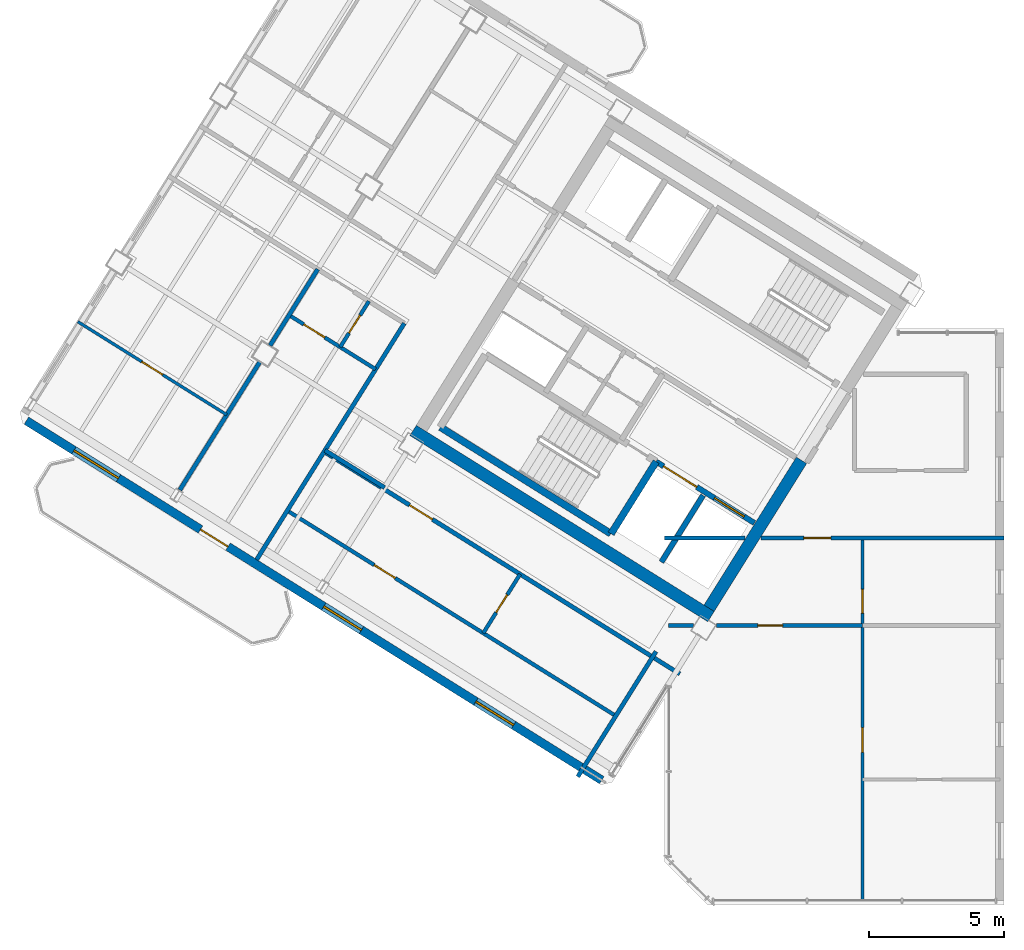
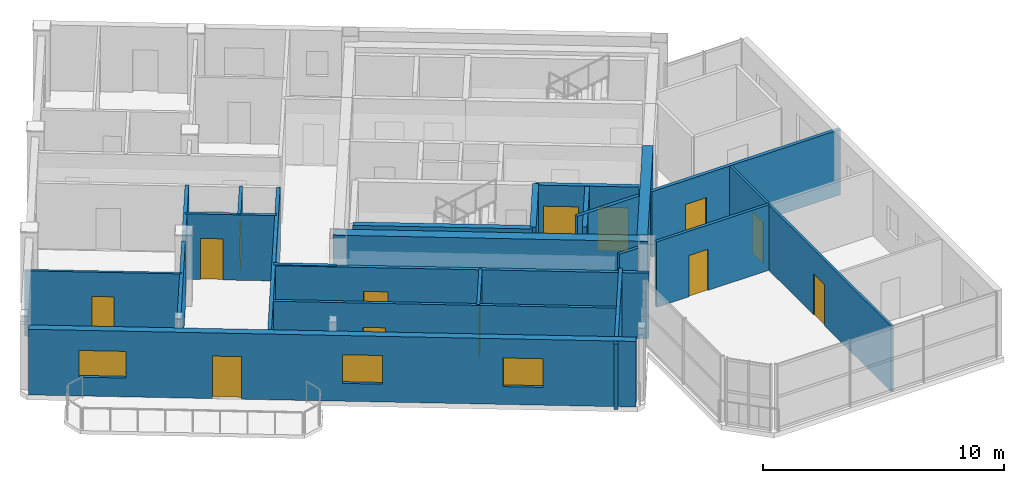
# One storey, part 7 of 13: 23 walls, 13 doors, 3 windows, 16 openings.
"""IFC4 building model written with IfcOpenShell, lengths in metres."""

from ifc_helpers import new_model, si_unit, direction, frame, frame_2d, origin, place, context, subcontext, project, spatial, rectangle, extrude, source, transform, mapped, material, layer, layer_set, type_object, element, fill, save


model = new_model("IFC4")

# Units and contexts
model_context = context("Model", 3, precision=1e-05, world=origin(), true_north=direction((0.0, 1.0)))
body_context = subcontext(model_context, "Body", "Model", "MODEL_VIEW")
ifc_project = project(units=[si_unit("LENGTHUNIT", "METRE"), si_unit("AREAUNIT", "SQUARE_METRE"), si_unit("VOLUMEUNIT", "CUBIC_METRE"), si_unit("PLANEANGLEUNIT", "RADIAN"), si_unit("MASSUNIT", "GRAM", prefix="KILO")], contexts=[model_context])

# Site, building, storey
site_placement = place(None, origin())
site = spatial("IfcSite", under=ifc_project, at=site_placement, CompositionType="ELEMENT")
building_placement = place(site_placement, origin())
building = spatial("IfcBuilding", under=site, at=building_placement, Name="Tlacorven Tower", CompositionType="ELEMENT")
storey_placement = place(building_placement, frame((0.0, 0.0, 295.199951171875)))
storey = spatial("IfcBuildingStorey", under=building, at=storey_placement, Name="L75", CompositionType="ELEMENT", Elevation=295.199951171875)

# Walls
ifc_material_1 = material(Name="Concrete C50/60", Category="concrete")
ifc_layer_1 = layer(ifc_material_1, 0.449951171875)
ifc_layer_set_1 = layer_set([ifc_layer_1], Name="Concrete C50/60")
wall_type_1 = type_object("IfcWallType", Name="WL-COR-450", PredefinedType="SHEAR", material=ifc_layer_set_1)
wall_1_placement = place(storey_placement, frame((33.32373046875, 12.5029296875, 0.0), z_axis=(0.0, 0.0, 1.0), x_axis=(-0.848043529849, 0.529926571782, 0.0)))
element("IfcWall", 1, at=wall_1_placement, inside=storey, type_object=wall_type_1, Name="L75 W core shear wall S2", PredefinedType="SHEAR", context=body_context, shape_type="SweptSolid", body=[
    extrude(rectangle(XDim=13.039794921875, YDim=0.449951171875, at=frame_2d((6.52001953125, 0.0))), origin(), (0.0, 0.0, 1.0), 3.320068359375),
])
wall_2_placement = place(storey_placement, frame((36.683349609375, 18.30419921875, 0.0), z_axis=(0.0, 0.0, 1.0), x_axis=(-0.529904039071, -0.848057609704, 0.0)))
element("IfcWall", 2, at=wall_2_placement, inside=storey, type_object=wall_type_1, Name="L75 W core end wall E1.2", PredefinedType="SHEAR", context=body_context, shape_type="SweptSolid", body=[
    extrude(rectangle(XDim=6.47509765625, YDim=0.449951171875, at=frame_2d((3.237548828125, 0.0))), origin(), (0.0, 0.0, 1.0), 3.320068359375),
])
ifc_material_2 = material(Name="Gypsum plasterboard acoustic partition", Category="gypsum")
ifc_layer_2 = layer(ifc_material_2, 0.159912109375)
ifc_layer_set_2 = layer_set([ifc_layer_2], Name="Gypsum plasterboard acoustic partition")
wall_type_2 = type_object("IfcWallType", Name="WL-DEM-160", PredefinedType="PARTITIONING", material=ifc_layer_set_2)
wall_3_placement = place(storey_placement, frame((21.20556640625, 17.29248046875, 0.0), z_axis=(0.0, 0.0, 1.0), x_axis=(-0.848050851465, 0.529914854792, 0.0)))
element("IfcWall", 3, at=wall_3_placement, inside=storey, type_object=wall_type_2, Name="L75 partition 23", PredefinedType="PARTITIONING", context=body_context, shape_type="SweptSolid", body=[
    extrude(rectangle(XDim=2.60986328125, YDim=0.159912109375, at=frame_2d((1.304931640625, 0.0))), origin(), (0.0, 0.0, 1.0), 3.31005859375),
])
wall_4_placement = place(storey_placement, frame((21.9384765625, 23.390625, 0.0), z_axis=(0.0, 0.0, 1.0), x_axis=(-0.529924725692, -0.848044683434, 0.0)))
element("IfcWall", 4, at=wall_4_placement, inside=storey, type_object=wall_type_2, Name="L75 partition 25", PredefinedType="PARTITIONING", context=body_context, shape_type="SweptSolid", body=[
    extrude(rectangle(XDim=10.349853515625, YDim=0.159912109375, at=frame_2d((5.1748046875, 0.0))), origin(), (0.0, 0.0, 1.0), 3.31005859375),
])
wall_5_placement = place(storey_placement, frame((18.724365234375, 25.399169921875, 0.0), z_axis=(0.0, 0.0, 1.0), x_axis=(-0.529952920244, -0.848027064618, 0.0)))
element("IfcWall", 5, at=wall_5_placement, inside=storey, type_object=wall_type_2, Name="L75 WN Demising Wall 1", PredefinedType="PARTITIONING", context=body_context, shape_type="SweptSolid", body=[
    extrude(rectangle(XDim=3.338134765625, YDim=0.159912109375, at=frame_2d((1.6689453125, 0.0))), origin(), (0.0, 0.0, 1.0), 3.31005859375),
])
wall_6_placement = place(storey_placement, frame((16.57177734375, 21.954345703125, 0.0), z_axis=(0.0, 0.0, 1.0), x_axis=(-0.529904903214, -0.848057069748, 0.0)))
element("IfcWall", 6, at=wall_6_placement, inside=storey, type_object=wall_type_2, Name="L75 WN Demising Wall 1", PredefinedType="PARTITIONING", context=body_context, shape_type="SweptSolid", body=[
    extrude(rectangle(XDim=5.60107421875, YDim=0.159912109375, at=frame_2d((2.800537109375, 0.0))), origin(), (0.0, 0.0, 1.0), 3.31005859375),
])

# Wall, opening, door
wall_7_placement = place(storey_placement, frame((32.164306640625, 10.373779296875, 0.0), z_axis=(0.0, 0.0, 1.0), x_axis=(-0.848044107957, 0.529925646633, 0.0)))
wall_7 = element("IfcWall", 7, at=wall_7_placement, inside=storey, type_object=wall_type_2, Name="L75 partition 38", PredefinedType="PARTITIONING", context=body_context, shape_type="SweptSolid", body=[
    extrude(rectangle(XDim=15.570068359375, YDim=0.159912109375, at=frame_2d((7.78515625, 0.0))), origin(), (0.0, 0.0, 1.0), 3.31005859375),
])
opening_1_placement = place(wall_7_placement, frame((10.830078125, 0.0, 0.0)))
opening_1 = element("IfcOpeningElement", 8, at=opening_1_placement, cuts=wall_7, Name="Opening D11", PredefinedType="OPENING", context=body_context, shape_type="SweptSolid", body=[
    extrude(rectangle(XDim=1.0, YDim=2.10009765625, at=frame_2d((0.5, 1.050048828125))), frame((0.0, 0.08984375, 0.0), z_axis=(0.0, -1.0, 0.0), x_axis=(1.0, 0.0, 0.0)), (0.0, 0.0, 1.0), 0.179931640625),
])
ifc_material_3 = material(Name="Fire-rated steel door assembly", Category="steel")
door_type_1 = type_object("IfcDoorType", Name="DR-FLT-FD60-1000", OperationType="NOTDEFINED", PredefinedType="DOOR", material=ifc_material_3)
shared_shape_1 = source(origin(), body_context, "Body", "SweptSolid", [
    extrude(rectangle(XDim=1.0, YDim=2.10009765625, at=frame_2d((0.5, 1.050048828125))), frame((0.0, 0.02490234375, 0.0), z_axis=(0.0, -1.0, 0.0), x_axis=(1.0, 0.0, 0.0)), (0.0, 0.0, 1.0), 0.050048828125),
])
door_1_placement = place(opening_1_placement, origin())
door_1 = element("IfcDoor", 9, at=door_1_placement, inside=storey, type_object=door_type_1, Name="L75 door 026", OperationType="SINGLE_SWING_LEFT", OverallHeight=2.10009765625, OverallWidth=1.0, PredefinedType="DOOR", context=body_context, shape_type="MappedRepresentation", body=[
    mapped(shared_shape_1, transform((0.0, 0.0, 0.0), scale=1.0)),
])
fill(opening_1, door_1)

# Walls
wall_8_placement = place(storey_placement, frame((31.282470703125, 11.2080078125, 0.0), z_axis=(0.0, 0.0, 1.0), x_axis=(-0.529938869374, -0.84803584519, 0.0)))
element("IfcWall", 10, at=wall_8_placement, inside=storey, type_object=wall_type_2, Name="L75 WC West Throat Wall", PredefinedType="PARTITIONING", context=body_context, shape_type="SweptSolid", body=[
    extrude(rectangle(XDim=5.47998046875, YDim=0.159912109375, at=frame_2d((2.739990234375, 0.0))), origin(), (0.0, 0.0, 1.0), 3.31005859375),
])
wall_9_placement = place(storey_placement, frame((31.60009765625, 15.419921875, 0.0), z_axis=(0.0, 0.0, 1.0), x_axis=(1.0, 0.0, 0.0)))
element("IfcWall", 11, at=wall_9_placement, inside=storey, type_object=wall_type_2, Name="L75 Knuckle Corridor South Wall", PredefinedType="PARTITIONING", context=body_context, shape_type="SweptSolid", body=[
    extrude(rectangle(XDim=2.984130859375, YDim=0.159912109375, at=frame_2d((1.4921875, 0.0))), origin(), (0.0, 0.0, 1.0), 3.31005859375),
])

# Wall, opening, door
wall_10_placement = place(storey_placement, frame((35.178466796875, 15.419921875, 0.0), z_axis=(0.0, 0.0, 1.0), x_axis=(1.0, 0.0, 0.0)))
wall_10 = element("IfcWall", 12, at=wall_10_placement, inside=storey, type_object=wall_type_2, Name="L75 Knuckle Corridor South Wall", PredefinedType="PARTITIONING", context=body_context, shape_type="SweptSolid", body=[
    extrude(rectangle(XDim=9.021484375, YDim=0.159912109375, at=frame_2d((4.5107421875, 0.0))), origin(), (0.0, 0.0, 1.0), 3.31005859375),
])
opening_2_placement = place(wall_10_placement, frame((1.593505859375, 0.0, 0.0)))
opening_2 = element("IfcOpeningElement", 13, at=opening_2_placement, cuts=wall_10, Name="Opening D11", PredefinedType="OPENING", context=body_context, shape_type="SweptSolid", body=[
    extrude(rectangle(XDim=1.0, YDim=2.10009765625, at=frame_2d((0.5, 1.050048828125))), frame((0.0, 0.08984375, 0.0), z_axis=(0.0, -1.0, 0.0), x_axis=(1.0, 0.0, 0.0)), (0.0, 0.0, 1.0), 0.179931640625),
])
door_2_placement = place(opening_2_placement, frame((1.0, 0.0, 0.0), z_axis=(0.0, 0.0, 1.0), x_axis=(-1.0, 0.0, 0.0)))
door_2 = element("IfcDoor", 14, at=door_2_placement, inside=storey, type_object=door_type_1, Name="L75 door 033", OperationType="SINGLE_SWING_LEFT", OverallHeight=2.10009765625, OverallWidth=1.0, PredefinedType="DOOR", context=body_context, shape_type="MappedRepresentation", body=[
    mapped(shared_shape_1, transform((0.0, 0.0, 0.0), scale=1.0)),
])
fill(opening_2, door_2)

# Wall, openings, door, windows
ifc_material_4 = material(Name="Precast concrete C45/55", Category="concrete")
ifc_layer_3 = layer(ifc_material_4, 0.320068359375)
ifc_layer_set_3 = layer_set([ifc_layer_3], Name="Precast concrete C45/55")
wall_type_3 = type_object("IfcWallType", Name="WL-EXT-320", PredefinedType="STANDARD", material=ifc_layer_set_3)
wall_11_placement = place(storey_placement, frame((29.267822265625, 6.429443359375, 0.0), z_axis=(0.0, 0.0, 1.0), x_axis=(-0.848048398186, 0.529918780885, 0.0)))
wall_11 = element("IfcWall", 15, at=wall_11_placement, inside=storey, type_object=wall_type_3, Name="L75 Masonry-Frame Recessed Facade Wall 2", PredefinedType="STANDARD", context=body_context, shape_type="SweptSolid", body=[
    extrude(rectangle(XDim=25.187744140625, YDim=0.320068359375, at=frame_2d((12.59375, 0.0))), origin(), (0.0, 0.0, 1.0), 3.320068359375),
])
opening_3_placement = place(wall_11_placement, frame((16.36181640625, 0.0, 0.0)))
opening_3 = element("IfcOpeningElement", 16, at=opening_3_placement, cuts=wall_11, Name="Opening D05", PredefinedType="OPENING", context=body_context, shape_type="SweptSolid", body=[
    extrude(rectangle(XDim=1.199951171875, YDim=2.14990234375, at=frame_2d((0.60009765625, 1.074951171875))), frame((0.0, 0.169921875, 0.0), z_axis=(0.0, -1.0, 0.0), x_axis=(1.0, 0.0, 0.0)), (0.0, 0.0, 1.0), 0.340087890625),
])
opening_4_placement = place(wall_11_placement, frame((3.858642578125, 0.0, 0.89990234375)))
opening_4 = element("IfcOpeningElement", 17, at=opening_4_placement, cuts=wall_11, Name="Opening WN07", PredefinedType="OPENING", context=body_context, shape_type="SweptSolid", body=[
    extrude(rectangle(XDim=1.64990234375, YDim=1.449951171875, at=frame_2d((0.824951171875, 0.72509765625))), frame((0.0, 0.169921875, 0.0), z_axis=(0.0, -1.0, 0.0), x_axis=(1.0, 0.0, 0.0)), (0.0, 0.0, 1.0), 0.340087890625),
])
opening_5_placement = place(wall_11_placement, frame((10.518798828125, 0.0, 0.89990234375)))
opening_5 = element("IfcOpeningElement", 18, at=opening_5_placement, cuts=wall_11, Name="Opening WN07", PredefinedType="OPENING", context=body_context, shape_type="SweptSolid", body=[
    extrude(rectangle(XDim=1.64990234375, YDim=1.449951171875, at=frame_2d((0.824951171875, 0.72509765625))), frame((0.0, 0.169921875, 0.0), z_axis=(0.0, -1.0, 0.0), x_axis=(1.0, 0.0, 0.0)), (0.0, 0.0, 1.0), 0.340087890625),
])
opening_6_placement = place(wall_11_placement, frame((21.155517578125, 0.0, 0.949951171875)))
opening_6 = element("IfcOpeningElement", 19, at=opening_6_placement, cuts=wall_11, Name="Opening WN09", PredefinedType="OPENING", context=body_context, shape_type="SweptSolid", body=[
    extrude(rectangle(XDim=1.949951171875, YDim=1.35009765625, at=frame_2d((0.97509765625, 0.675048828125))), frame((0.0, 0.169921875, 0.0), z_axis=(0.0, -1.0, 0.0), x_axis=(1.0, 0.0, 0.0)), (0.0, 0.0, 1.0), 0.340087890625),
])
ifc_material_5 = material(Name="Powder-coated aluminium and timber door", Category="wood")
door_type_2 = type_object("IfcDoorType", Name="DR-EXT-BALC-1200", OperationType="NOTDEFINED", PredefinedType="DOOR", material=ifc_material_5)
shared_shape_2 = source(origin(), body_context, "Body", "SweptSolid", [
    extrude(rectangle(XDim=1.199951171875, YDim=2.14990234375, at=frame_2d((0.60009765625, 1.074951171875))), frame((0.0, 0.02490234375, 0.0), z_axis=(0.0, -1.0, 0.0), x_axis=(1.0, 0.0, 0.0)), (0.0, 0.0, 1.0), 0.050048828125),
])
door_3_placement = place(opening_3_placement, origin())
door_3 = element("IfcDoor", 20, at=door_3_placement, inside=storey, type_object=door_type_2, Name="L75 Outdoor Access Door BAL-L75-W-OUT", OperationType="SINGLE_SWING_LEFT", OverallHeight=2.14990234375, OverallWidth=1.199951171875, PredefinedType="DOOR", context=body_context, shape_type="MappedRepresentation", body=[
    mapped(shared_shape_2, transform((0.0, 0.0, 0.0), scale=1.0)),
])
fill(opening_3, door_3)
ifc_material_6 = material(Name="Dark solar low-E double glazing in anodised aluminium frame", Category="aluminium")
window_type_1 = type_object("IfcWindowType", Name="WN-APT-1650X1600", PartitioningType="SINGLE_PANEL", PredefinedType="WINDOW", material=ifc_material_6)
shared_shape_3 = source(origin(), body_context, "Body", "SweptSolid", [
    extrude(rectangle(XDim=1.64990234375, YDim=1.449951171875, at=frame_2d((0.824951171875, 0.72509765625))), frame((0.0, 0.030029296875, 0.0), z_axis=(0.0, -1.0, 0.0), x_axis=(1.0, 0.0, 0.0)), (0.0, 0.0, 1.0), 0.06005859375),
])
window_1_placement = place(opening_4_placement, origin())
window_1 = element("IfcWindow", 21, at=window_1_placement, inside=storey, type_object=window_type_1, Name="L75 Recessed Masonry-Frame Window L75-02.1", OverallHeight=1.449951171875, OverallWidth=1.64990234375, PartitioningType="SINGLE_PANEL", PredefinedType="WINDOW", context=body_context, shape_type="MappedRepresentation", body=[
    mapped(shared_shape_3, transform((0.0, 0.0, 0.0), scale=1.0)),
])
fill(opening_4, window_1)
window_2_placement = place(opening_5_placement, origin())
window_2 = element("IfcWindow", 22, at=window_2_placement, inside=storey, type_object=window_type_1, Name="L75 Recessed Masonry-Frame Window L75-02.2", OverallHeight=1.449951171875, OverallWidth=1.64990234375, PartitioningType="SINGLE_PANEL", PredefinedType="WINDOW", context=body_context, shape_type="MappedRepresentation", body=[
    mapped(shared_shape_3, transform((0.0, 0.0, 0.0), scale=1.0)),
])
fill(opening_5, window_2)
window_type_2 = type_object("IfcWindowType", Name="WN-GAL-1950X1450", PartitioningType="SINGLE_PANEL", PredefinedType="WINDOW", material=ifc_material_6)
shared_shape_4 = source(origin(), body_context, "Body", "SweptSolid", [
    extrude(rectangle(XDim=1.949951171875, YDim=1.35009765625, at=frame_2d((0.97509765625, 0.675048828125))), frame((0.0, 0.030029296875, 0.0), z_axis=(0.0, -1.0, 0.0), x_axis=(1.0, 0.0, 0.0)), (0.0, 0.0, 1.0), 0.06005859375),
])
window_3_placement = place(opening_6_placement, origin())
window_3 = element("IfcWindow", 23, at=window_3_placement, inside=storey, type_object=window_type_2, Name="L75 Recessed Masonry-Frame Window L75-02.3", OverallHeight=1.35009765625, OverallWidth=1.949951171875, PartitioningType="SINGLE_PANEL", PredefinedType="WINDOW", context=body_context, shape_type="MappedRepresentation", body=[
    mapped(shared_shape_4, transform((0.0, 0.0, 0.0), scale=1.0)),
])
fill(opening_6, window_3)

# Wall, opening, door
ifc_material_7 = material(Name="Gypsum plasterboard partition", Category="gypsum")
ifc_layer_4 = layer(ifc_material_7, 0.110107421875)
ifc_layer_set_4 = layer_set([ifc_layer_4], Name="Gypsum plasterboard partition")
wall_type_4 = type_object("IfcWallType", Name="WL-INT-110", PredefinedType="PARTITIONING", material=ifc_layer_set_4)
wall_12_placement = place(storey_placement, frame((15.34765625, 19.995361328125, 0.0), z_axis=(0.0, 0.0, 1.0), x_axis=(-0.848048787466, 0.529918157905, 0.0)))
wall_12 = element("IfcWall", 24, at=wall_12_placement, inside=storey, type_object=wall_type_4, Name="L75 partition 32", PredefinedType="PARTITIONING", context=body_context, shape_type="SweptSolid", body=[
    extrude(rectangle(XDim=6.52001953125, YDim=0.110107421875, at=frame_2d((3.260009765625, 0.0))), origin(), (0.0, 0.0, 1.0), 3.31005859375),
])
opening_7_placement = place(wall_12_placement, frame((2.800048828125, 0.0, 0.0)))
opening_7 = element("IfcOpeningElement", 25, at=opening_7_placement, cuts=wall_12, Name="Opening D12", PredefinedType="OPENING", context=body_context, shape_type="SweptSolid", body=[
    extrude(rectangle(XDim=0.919921875, YDim=2.080078125, at=frame_2d((0.4599609375, 1.0400390625))), frame((0.0, 0.06494140625, 0.0), z_axis=(0.0, -1.0, 0.0), x_axis=(1.0, 0.0, 0.0)), (0.0, 0.0, 1.0), 0.130126953125),
])
door_type_3 = type_object("IfcDoorType", Name="DR-INT-ROOM-0920", OperationType="NOTDEFINED", PredefinedType="DOOR", material=ifc_material_5)
shared_shape_5 = source(origin(), body_context, "Body", "SweptSolid", [
    extrude(rectangle(XDim=0.919921875, YDim=2.080078125, at=frame_2d((0.4599609375, 1.0400390625))), frame((0.0, 0.02490234375, 0.0), z_axis=(0.0, -1.0, 0.0), x_axis=(1.0, 0.0, 0.0)), (0.0, 0.0, 1.0), 0.050048828125),
])
door_4_placement = place(opening_7_placement, origin())
door_4 = element("IfcDoor", 26, at=door_4_placement, inside=storey, type_object=door_type_3, Name="L75 door 019", OperationType="SINGLE_SWING_RIGHT", OverallHeight=2.080078125, OverallWidth=0.919921875, PredefinedType="DOOR", context=body_context, shape_type="MappedRepresentation", body=[
    mapped(shared_shape_5, transform((0.0, 0.0, 0.0), scale=1.0)),
])
fill(opening_7, door_4)

# Wall, openings, doors
wall_13_placement = place(storey_placement, frame((38.944091796875, 1.9599609375, 0.0), z_axis=(0.0, 0.0, 1.0), x_axis=(0.0, 1.0, 0.0)))
wall_13 = element("IfcWall", 27, at=wall_13_placement, inside=storey, type_object=wall_type_4, Name="L75 partition 48", PredefinedType="PARTITIONING", context=body_context, shape_type="SweptSolid", body=[
    extrude(rectangle(XDim=13.4599609375, YDim=0.110107421875, at=frame_2d((6.72998046875, 0.0))), origin(), (0.0, 0.0, 1.0), 3.31005859375),
])
opening_8_placement = place(wall_13_placement, frame((5.5, 0.0, 0.0)))
opening_8 = element("IfcOpeningElement", 28, at=opening_8_placement, cuts=wall_13, Name="Opening D12", PredefinedType="OPENING", context=body_context, shape_type="SweptSolid", body=[
    extrude(rectangle(XDim=0.919921875, YDim=2.080078125, at=frame_2d((0.4599609375, 1.0400390625))), frame((0.0, 0.06494140625, 0.0), z_axis=(0.0, -1.0, 0.0), x_axis=(1.0, 0.0, 0.0)), (0.0, 0.0, 1.0), 0.130126953125),
])
opening_9_placement = place(wall_13_placement, frame((10.669921875, 0.0, 0.0)))
opening_9 = element("IfcOpeningElement", 29, at=opening_9_placement, cuts=wall_13, Name="Opening D13", PredefinedType="OPENING", context=body_context, shape_type="SweptSolid", body=[
    extrude(rectangle(XDim=0.8798828125, YDim=2.080078125, at=frame_2d((0.43994140625, 1.0400390625))), frame((0.0, 0.06494140625, 0.0), z_axis=(0.0, -1.0, 0.0), x_axis=(1.0, 0.0, 0.0)), (0.0, 0.0, 1.0), 0.130126953125),
])
door_type_4 = type_object("IfcDoorType", Name="DR-INT-WET-0880", OperationType="NOTDEFINED", PredefinedType="DOOR", material=ifc_material_5)
shared_shape_6 = source(origin(), body_context, "Body", "SweptSolid", [
    extrude(rectangle(XDim=0.8798828125, YDim=2.080078125, at=frame_2d((0.43994140625, 1.0400390625))), frame((0.0, 0.02490234375, 0.0), z_axis=(0.0, -1.0, 0.0), x_axis=(1.0, 0.0, 0.0)), (0.0, 0.0, 1.0), 0.050048828125),
])
door_5_placement = place(opening_9_placement, origin())
door_5 = element("IfcDoor", 30, at=door_5_placement, inside=storey, type_object=door_type_4, Name="L75 door 035", OperationType="SINGLE_SWING_LEFT", OverallHeight=2.080078125, OverallWidth=0.8798828125, PredefinedType="DOOR", context=body_context, shape_type="MappedRepresentation", body=[
    mapped(shared_shape_6, transform((0.0, 0.0, 0.0), scale=1.0)),
])
fill(opening_9, door_5)
door_6_placement = place(opening_8_placement, origin())
door_6 = element("IfcDoor", 31, at=door_6_placement, inside=storey, type_object=door_type_3, Name="L75 door 031", OperationType="SINGLE_SWING_LEFT", OverallHeight=2.080078125, OverallWidth=0.919921875, PredefinedType="DOOR", context=body_context, shape_type="MappedRepresentation", body=[
    mapped(shared_shape_5, transform((0.0, 0.0, 0.0), scale=1.0)),
])
fill(opening_8, door_6)

# Wall, opening, door
ifc_material_8 = material(Name="Moisture-resistant gypsum plumbing wall", Category="gypsum")
ifc_layer_5 = layer(ifc_material_8, 0.139892578125)
ifc_layer_set_5 = layer_set([ifc_layer_5], Name="Moisture-resistant gypsum plumbing wall")
wall_type_5 = type_object("IfcWallType", Name="WL-PLM-140", PredefinedType="PLUMBINGWALL", material=ifc_layer_set_5)
wall_14_placement = place(storey_placement, frame((20.873291015625, 21.68603515625, 0.0), z_axis=(0.0, 0.0, 1.0), x_axis=(-0.84803087207, 0.529946827537, 0.0)))
wall_14 = element("IfcWall", 32, at=wall_14_placement, inside=storey, type_object=wall_type_5, Name="L75 partition 30", PredefinedType="PLUMBINGWALL", context=body_context, shape_type="SweptSolid", body=[
    extrude(rectangle(XDim=3.7900390625, YDim=0.139892578125, at=frame_2d((1.89501953125, 0.0))), origin(), (0.0, 0.0, 1.0), 3.31005859375),
])
opening_10_placement = place(wall_14_placement, frame((2.22998046875, 0.0, 0.0)))
opening_10 = element("IfcOpeningElement", 33, at=opening_10_placement, cuts=wall_14, Name="Opening D12", PredefinedType="OPENING", context=body_context, shape_type="SweptSolid", body=[
    extrude(rectangle(XDim=0.919921875, YDim=2.080078125, at=frame_2d((0.4599609375, 1.0400390625))), frame((0.0, 0.080078125, 0.0), z_axis=(0.0, -1.0, 0.0), x_axis=(1.0, 0.0, 0.0)), (0.0, 0.0, 1.0), 0.159912109375),
])
door_7_placement = place(opening_10_placement, origin())
door_7 = element("IfcDoor", 34, at=door_7_placement, inside=storey, type_object=door_type_3, Name="L75 door 016", OperationType="SINGLE_SWING_LEFT", OverallHeight=2.080078125, OverallWidth=0.919921875, PredefinedType="DOOR", context=body_context, shape_type="MappedRepresentation", body=[
    mapped(shared_shape_5, transform((0.0, 0.0, 0.0), scale=1.0)),
])
fill(opening_10, door_7)

wall_15_placement = place(storey_placement, frame((20.6240234375, 24.212158203125, 0.0), z_axis=(0.0, 0.0, 1.0), x_axis=(-0.529933431478, -0.848039243315, 0.0)))
wall_15 = element("IfcWall", 35, at=wall_15_placement, inside=storey, type_object=wall_type_5, Name="L75 partition 31", PredefinedType="PLUMBINGWALL", context=body_context, shape_type="SweptSolid", body=[
    extrude(rectangle(XDim=2.010009765625, YDim=0.139892578125, at=frame_2d((1.0048828125, 0.0))), origin(), (0.0, 0.0, 1.0), 3.31005859375),
])
opening_11_placement = place(wall_15_placement, frame((0.614990234375, 0.0, 0.0)))
opening_11 = element("IfcOpeningElement", 36, at=opening_11_placement, cuts=wall_15, Name="Opening D22", PredefinedType="OPENING", context=body_context, shape_type="SweptSolid", body=[
    extrude(rectangle(XDim=0.780029296875, YDim=2.050048828125, at=frame_2d((0.39013671875, 1.02490234375))), frame((0.0, 0.080078125, 0.0), z_axis=(0.0, -1.0, 0.0), x_axis=(1.0, 0.0, 0.0)), (0.0, 0.0, 1.0), 0.159912109375),
])
door_type_5 = type_object("IfcDoorType", Name="DR-INT-WET-0780", OperationType="NOTDEFINED", PredefinedType="DOOR", material=ifc_material_5)
shared_shape_7 = source(origin(), body_context, "Body", "SweptSolid", [
    extrude(rectangle(XDim=0.780029296875, YDim=2.050048828125, at=frame_2d((0.39013671875, 1.02490234375))), frame((0.0, 0.02490234375, 0.0), z_axis=(0.0, -1.0, 0.0), x_axis=(1.0, 0.0, 0.0)), (0.0, 0.0, 1.0), 0.050048828125),
])
door_8_placement = place(opening_11_placement, origin())
door_8 = element("IfcDoor", 37, at=door_8_placement, inside=storey, type_object=door_type_5, Name="L75 door 017", OperationType="SINGLE_SWING_RIGHT", OverallHeight=2.050048828125, OverallWidth=0.780029296875, PredefinedType="DOOR", context=body_context, shape_type="MappedRepresentation", body=[
    mapped(shared_shape_7, transform((0.0, 0.0, 0.0), scale=1.0)),
])
fill(opening_11, door_8)

wall_16_placement = place(storey_placement, frame((29.72021484375, 8.85888671875, 0.0), z_axis=(0.0, 0.0, 1.0), x_axis=(-0.848049134363, 0.529917602752, 0.0)))
wall_16 = element("IfcWall", 38, at=wall_16_placement, inside=storey, type_object=wall_type_5, Name="L75 partition 40", PredefinedType="PLUMBINGWALL", context=body_context, shape_type="SweptSolid", body=[
    extrude(rectangle(XDim=14.300048828125, YDim=0.139892578125, at=frame_2d((7.14990234375, 0.0))), origin(), (0.0, 0.0, 1.0), 3.31005859375),
])
opening_12_placement = place(wall_16_placement, frame((9.570068359375, 0.0, 0.0)))
opening_12 = element("IfcOpeningElement", 39, at=opening_12_placement, cuts=wall_16, Name="Opening D12", PredefinedType="OPENING", context=body_context, shape_type="SweptSolid", body=[
    extrude(rectangle(XDim=0.919921875, YDim=2.080078125, at=frame_2d((0.4599609375, 1.0400390625))), frame((0.0, 0.080078125, 0.0), z_axis=(0.0, -1.0, 0.0), x_axis=(1.0, 0.0, 0.0)), (0.0, 0.0, 1.0), 0.159912109375),
])
door_9_placement = place(opening_12_placement, origin())
door_9 = element("IfcDoor", 40, at=door_9_placement, inside=storey, type_object=door_type_3, Name="L75 door 027", OperationType="SINGLE_SWING_RIGHT", OverallHeight=2.080078125, OverallWidth=0.919921875, PredefinedType="DOOR", context=body_context, shape_type="MappedRepresentation", body=[
    mapped(shared_shape_5, transform((0.0, 0.0, 0.0), scale=1.0)),
])
fill(opening_12, door_9)

wall_17_placement = place(storey_placement, frame((26.236572265625, 14.077880859375, 0.0), z_axis=(0.0, 0.0, 1.0), x_axis=(-0.52995640672, -0.848024885824, 0.0)))
wall_17 = element("IfcWall", 41, at=wall_17_placement, inside=storey, type_object=wall_type_5, Name="L75 partition 41", PredefinedType="PLUMBINGWALL", context=body_context, shape_type="SweptSolid", body=[
    extrude(rectangle(XDim=2.579833984375, YDim=0.139892578125, at=frame_2d((1.2900390625, 0.0))), origin(), (0.0, 0.0, 1.0), 3.31005859375),
])
opening_13_placement = place(wall_17_placement, frame((0.89990234375, 0.0, 0.0)))
opening_13 = element("IfcOpeningElement", 42, at=opening_13_placement, cuts=wall_17, Name="Opening D22", PredefinedType="OPENING", context=body_context, shape_type="SweptSolid", body=[
    extrude(rectangle(XDim=0.780029296875, YDim=2.050048828125, at=frame_2d((0.39013671875, 1.02490234375))), frame((0.0, 0.080078125, 0.0), z_axis=(0.0, -1.0, 0.0), x_axis=(1.0, 0.0, 0.0)), (0.0, 0.0, 1.0), 0.159912109375),
])
door_10_placement = place(opening_13_placement, origin())
door_10 = element("IfcDoor", 43, at=door_10_placement, inside=storey, type_object=door_type_5, Name="L75 door 028", OperationType="SINGLE_SWING_LEFT", OverallHeight=2.050048828125, OverallWidth=0.780029296875, PredefinedType="DOOR", context=body_context, shape_type="MappedRepresentation", body=[
    mapped(shared_shape_7, transform((0.0, 0.0, 0.0), scale=1.0)),
])
fill(opening_13, door_10)

# Wall
wall_18_placement = place(storey_placement, frame((31.739990234375, 12.169921875, 0.0), z_axis=(0.0, 0.0, 1.0), x_axis=(1.0, 0.0, 0.0)))
element("IfcWall", 44, at=wall_18_placement, inside=storey, type_object=wall_type_5, Name="L75 partition 49", PredefinedType="PLUMBINGWALL", context=body_context, shape_type="SweptSolid", body=[
    extrude(rectangle(XDim=0.93115234375, YDim=0.139892578125, at=frame_2d((0.465576171875, 0.0))), origin(), (0.0, 0.0, 1.0), 3.31005859375),
])

# Wall, opening, door
wall_19_placement = place(storey_placement, frame((33.52490234375, 12.169921875, 0.0), z_axis=(0.0, 0.0, 1.0), x_axis=(1.0, 0.0, 0.0)))
wall_19 = element("IfcWall", 45, at=wall_19_placement, inside=storey, type_object=wall_type_5, Name="L75 partition 49", PredefinedType="PLUMBINGWALL", context=body_context, shape_type="SweptSolid", body=[
    extrude(rectangle(XDim=5.419189453125, YDim=0.139892578125, at=frame_2d((2.70947265625, 0.0))), origin(), (0.0, 0.0, 1.0), 3.31005859375),
])
opening_14_placement = place(wall_19_placement, frame((1.537109375, 0.0, 0.0)))
opening_14 = element("IfcOpeningElement", 46, at=opening_14_placement, cuts=wall_19, Name="Opening D12", PredefinedType="OPENING", context=body_context, shape_type="SweptSolid", body=[
    extrude(rectangle(XDim=0.919921875, YDim=2.080078125, at=frame_2d((0.4599609375, 1.0400390625))), frame((0.0, 0.080078125, 0.0), z_axis=(0.0, -1.0, 0.0), x_axis=(1.0, 0.0, 0.0)), (0.0, 0.0, 1.0), 0.159912109375),
])
door_11_placement = place(opening_14_placement, frame((0.919921875, 0.0, 0.0), z_axis=(0.0, 0.0, 1.0), x_axis=(-1.0, 0.0, 0.0)))
door_11 = element("IfcDoor", 47, at=door_11_placement, inside=storey, type_object=door_type_3, Name="L75 door 034", OperationType="SINGLE_SWING_RIGHT", OverallHeight=2.080078125, OverallWidth=0.919921875, PredefinedType="DOOR", context=body_context, shape_type="MappedRepresentation", body=[
    mapped(shared_shape_5, transform((0.0, 0.0, 0.0), scale=1.0)),
])
fill(opening_14, door_11)

# Wall, openings, doors
ifc_material_9 = material(Name="Concrete C40/50", Category="concrete")
ifc_layer_6 = layer(ifc_material_9, 0.199951171875)
ifc_layer_set_6 = layer_set([ifc_layer_6], Name="Concrete C40/50")
wall_type_6 = type_object("IfcWallType", Name="WL-SHF-200", PredefinedType="STANDARD", material=ifc_layer_set_6)
wall_20_placement = place(storey_placement, frame((34.93310546875, 15.978271484375, 0.0), z_axis=(0.0, 0.0, 1.0), x_axis=(-0.848055739377, 0.529907032327, 0.0)))
wall_20 = element("IfcWall", 48, at=wall_20_placement, inside=storey, type_object=wall_type_6, Name="L75 Core W Firefighting Lift Shaft Front Wall", PredefinedType="STANDARD", context=body_context, shape_type="SweptSolid", body=[
    extrude(rectangle(XDim=4.298095703125, YDim=0.199951171875, at=frame_2d((2.14892578125, 0.0))), origin(), (0.0, 0.0, 1.0), 3.31005859375),
])
opening_15_placement = place(wall_20_placement, frame((0.447998046875, 0.0, 0.0)))
opening_15 = element("IfcOpeningElement", 49, at=opening_15_placement, cuts=wall_20, Name="Opening LD03", PredefinedType="OPENING", context=body_context, shape_type="SweptSolid", body=[
    extrude(rectangle(XDim=1.300048828125, YDim=2.199951171875, at=frame_2d((0.64990234375, 1.10009765625))), frame((0.0, 0.10986328125, 0.0), z_axis=(0.0, -1.0, 0.0), x_axis=(1.0, 0.0, 0.0)), (0.0, 0.0, 1.0), 0.219970703125),
])
opening_16_placement = place(wall_20_placement, frame((2.52294921875, 0.0, 0.0)))
opening_16 = element("IfcOpeningElement", 50, at=opening_16_placement, cuts=wall_20, Name="Opening LD04", PredefinedType="OPENING", context=body_context, shape_type="SweptSolid", body=[
    extrude(rectangle(XDim=1.449951171875, YDim=2.25, at=frame_2d((0.72509765625, 1.125))), frame((0.0, 0.10986328125, 0.0), z_axis=(0.0, -1.0, 0.0), x_axis=(1.0, 0.0, 0.0)), (0.0, 0.0, 1.0), 0.219970703125),
])
door_type_6 = type_object("IfcDoorType", Name="DR-LFT-SLID-1300", OperationType="DOUBLE_DOOR_SLIDING", PredefinedType="DOOR", material=ifc_material_3)
shared_shape_8 = source(origin(), body_context, "Body", "SweptSolid", [
    extrude(rectangle(XDim=1.300048828125, YDim=2.199951171875, at=frame_2d((0.64990234375, 1.10009765625))), frame((0.0, 0.02490234375, 0.0), z_axis=(0.0, -1.0, 0.0), x_axis=(1.0, 0.0, 0.0)), (0.0, 0.0, 1.0), 0.050048828125),
])
door_12_placement = place(opening_15_placement, origin())
door_12 = element("IfcDoor", 51, at=door_12_placement, inside=storey, type_object=door_type_6, Name="L75 Lift FFL-W1 Sliding Landing Door", OperationType="DOUBLE_DOOR_SLIDING", OverallHeight=2.199951171875, OverallWidth=1.300048828125, PredefinedType="DOOR", context=body_context, shape_type="MappedRepresentation", body=[
    mapped(shared_shape_8, transform((0.0, 0.0, 0.0), scale=1.0)),
])
fill(opening_15, door_12)
door_type_7 = type_object("IfcDoorType", Name="DR-LFT-SLID-1450", OperationType="DOUBLE_DOOR_SLIDING", PredefinedType="DOOR", material=ifc_material_3)
shared_shape_9 = source(origin(), body_context, "Body", "SweptSolid", [
    extrude(rectangle(XDim=1.449951171875, YDim=2.25, at=frame_2d((0.72509765625, 1.125))), frame((0.0, 0.02490234375, 0.0), z_axis=(0.0, -1.0, 0.0), x_axis=(1.0, 0.0, 0.0)), (0.0, 0.0, 1.0), 0.050048828125),
])
door_13_placement = place(opening_16_placement, origin())
door_13 = element("IfcDoor", 52, at=door_13_placement, inside=storey, type_object=door_type_7, Name="L75 Lift SVL-W1 Sliding Landing Door", OperationType="DOUBLE_DOOR_SLIDING", OverallHeight=2.25, OverallWidth=1.449951171875, PredefinedType="DOOR", context=body_context, shape_type="MappedRepresentation", body=[
    mapped(shared_shape_9, transform((0.0, 0.0, 0.0), scale=1.0)),
])
fill(opening_16, door_13)

# Walls
wall_21_placement = place(storey_placement, frame((33.02880859375, 17.003173828125, 0.0), z_axis=(0.0, 0.0, 1.0), x_axis=(-0.529916267533, -0.848049968695, 0.0)))
element("IfcWall", 53, at=wall_21_placement, inside=storey, type_object=wall_type_6, Name="L75 partition 11", PredefinedType="STANDARD", context=body_context, shape_type="SweptSolid", body=[
    extrude(rectangle(XDim=2.919921875, YDim=0.199951171875, at=frame_2d((1.4599609375, 0.0))), origin(), (0.0, 0.0, 1.0), 3.31005859375),
])
ifc_layer_7 = layer(ifc_material_1, 0.260009765625)
ifc_layer_set_7 = layer_set([ifc_layer_7], Name="Concrete C50/60")
wall_type_7 = type_object("IfcWallType", Name="WL-STW-260", PredefinedType="SHEAR", material=ifc_layer_set_7)
wall_22_placement = place(storey_placement, frame((29.60498046875, 15.581298828125, 0.0), z_axis=(0.0, 0.0, 1.0), x_axis=(-0.848036911448, 0.529937163087, 0.0)))
element("IfcWall", 54, at=wall_22_placement, inside=storey, type_object=wall_type_7, Name="L75 Stair W1 Far Shear Wall", PredefinedType="SHEAR", context=body_context, shape_type="SweptSolid", body=[
    extrude(rectangle(XDim=7.4599609375, YDim=0.260009765625, at=frame_2d((3.72998046875, 0.0))), origin(), (0.0, 0.0, 1.0), 3.320068359375),
])
wall_23_placement = place(storey_placement, frame((31.2880859375, 18.255859375, 0.0), z_axis=(0.0, 0.0, 1.0), x_axis=(-0.529943379326, -0.848033026897, 0.0)))
element("IfcWall", 55, at=wall_23_placement, inside=storey, type_object=wall_type_7, Name="L75 Stair W1 West Shear Wall", PredefinedType="SHEAR", context=body_context, shape_type="SweptSolid", body=[
    extrude(rectangle(XDim=3.159912109375, YDim=0.260009765625, at=frame_2d((1.580078125, 0.0))), origin(), (0.0, 0.0, 1.0), 3.320068359375),
])

save(model, "model.ifc")
